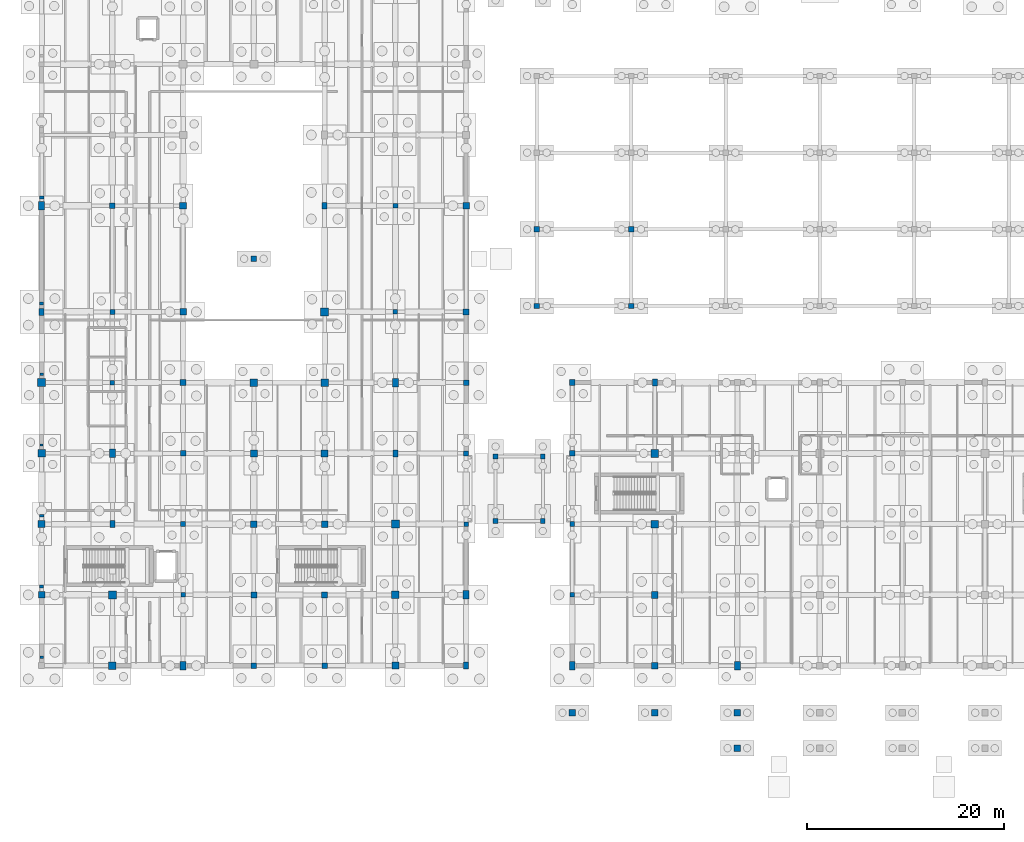
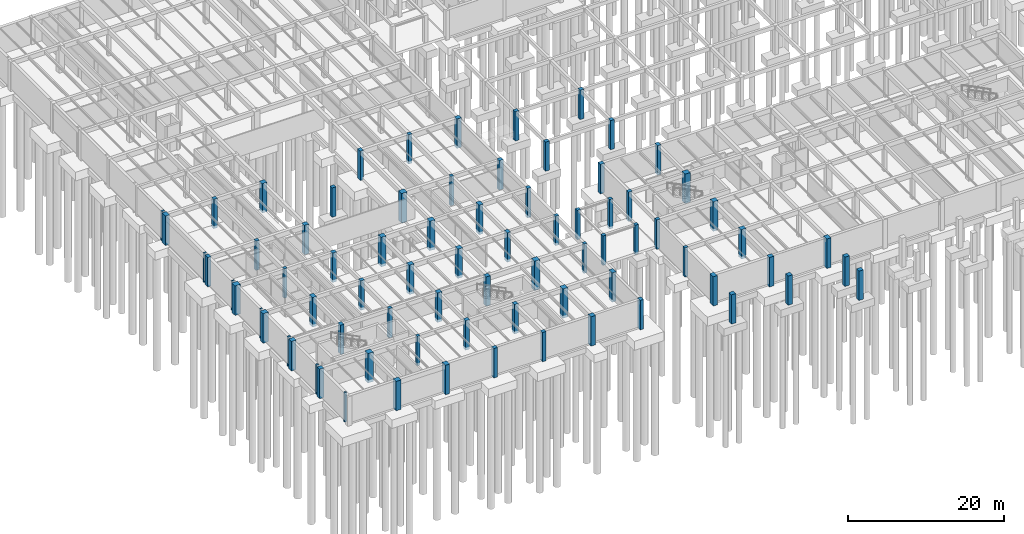
# One storey, part 18 of 63: 77 columns.
"""IFC4 building model written with IfcOpenShell, lengths in metres."""

from ifc_helpers import new_model, si_unit, direction, frame, origin, origin_2d, place, context, subcontext, project, spatial, rectangle, extrude, material, material_profile, profile_set, type_object, element, save


model = new_model("IFC4")

# Units and contexts
model_context = context("Model", 3, precision=1e-05, world=origin(), true_north=direction((0.0, 1.0)))
body_context = subcontext(model_context, "Body", "Model", "MODEL_VIEW")
ifc_project = project(units=[si_unit("LENGTHUNIT", "METRE"), si_unit("AREAUNIT", "SQUARE_METRE"), si_unit("VOLUMEUNIT", "CUBIC_METRE"), si_unit("PLANEANGLEUNIT", "RADIAN"), si_unit("MASSUNIT", "GRAM", prefix="KILO")], contexts=[model_context])

# Site, building, storey
site_placement = place(None, origin())
site = spatial("IfcSite", under=ifc_project, at=site_placement, CompositionType="ELEMENT")
building_placement = place(site_placement, origin())
building = spatial("IfcBuilding", under=site, at=building_placement, Name="Mazaris Harbour Polytechnic", CompositionType="ELEMENT")
storey_placement = place(building_placement, frame((0.0, 0.0, -4.5)))
storey = spatial("IfcBuildingStorey", under=building, at=storey_placement, Name="B1", CompositionType="ELEMENT", Elevation=-4.5)

# Columns
ifc_material_1 = material(Name="Concrete C35/45", Category="concrete")
ifc_material_profile_1 = material_profile(ifc_material_1, rectangle(XDim=0.320068359375, YDim=0.219970703125, at=origin_2d()), Name="RECT320x220")
ifc_profile_set_1 = profile_set([ifc_material_profile_1], Name="Concrete C35/45")
column_type_1 = type_object("IfcColumnType", Name="Limestone Pilaster 320x220", PredefinedType="PILASTER", material=ifc_profile_set_1)
column_placement = place(storey_placement, frame((0.0, 29.64990234375, -0.419921875), z_axis=(0.0, 0.0, 1.0), x_axis=(1.0, 0.0, 0.0)))
element("IfcColumn", 1, at=column_placement, inside=storey, type_object=column_type_1, Name="V4 B1 Giant Order Pilaster 4", PredefinedType="PILASTER", context=body_context, shape_type="SweptSolid", body=[
    extrude(rectangle(XDim=0.320068359375, YDim=0.219970703125, at=origin_2d()), origin(), (0.0, 0.0, 1.0), 4.599853515625),
])
ifc_material_2 = material(Name="Concrete C35/45", Category="concrete")
ifc_material_profile_2 = material_profile(ifc_material_2, rectangle(XDim=0.360107421875, YDim=0.239990234375, at=origin_2d()), Name="RECT360x240")
ifc_profile_set_2 = profile_set([ifc_material_profile_2], Name="Concrete C35/45")
column_type_2 = type_object("IfcColumnType", Name="Limestone Pilaster 360x240", PredefinedType="PILASTER", material=ifc_profile_set_2)
for number, where, z_axis, x_axis, name in (
    (2, (0.0, 8.050048828125, -0.419921875), (0.0, 0.0, 1.0), (1.0, 0.0, 0.0), "V4 B1 Giant Order Pilaster 1"),
    (3, (0.0, 36.85009765625, -0.419921875), (0.0, 0.0, 1.0), (1.0, 0.0, 0.0), "V4 B1 Giant Order Pilaster 5"),
):
    element("IfcColumn", number, at=place(storey_placement, frame(where, z_axis=z_axis, x_axis=x_axis)), inside=storey, type_object=column_type_2, Name=name, PredefinedType="PILASTER", context=body_context, shape_type="SweptSolid", body=[
        extrude(rectangle(XDim=0.360107421875, YDim=0.239990234375, at=origin_2d()), origin(), (0.0, 0.0, 1.0), 4.599853515625),
    ])
ifc_material_3 = material(Name="Concrete C35/45", Category="concrete")
ifc_material_profile_3 = material_profile(ifc_material_3, rectangle(XDim=0.39990234375, YDim=0.260009765625, at=origin_2d()), Name="RECT400x260")
ifc_profile_set_3 = profile_set([ifc_material_profile_3], Name="Concrete C35/45")
column_type_3 = type_object("IfcColumnType", Name="Limestone Pilaster 400x260", PredefinedType="PILASTER", material=ifc_profile_set_3)
for number, where, z_axis, x_axis, name in (
    (4, (0.0, 15.25, -0.419921875), (0.0, 0.0, 1.0), (1.0, 0.0, 0.0), "V4 B1 Giant Order Pilaster 2"),
    (5, (0.0, 44.050048828125, -0.419921875), (0.0, 0.0, 1.0), (1.0, 0.0, 0.0), "V4 B1 Giant Order Pilaster 6"),
):
    element("IfcColumn", number, at=place(storey_placement, frame(where, z_axis=z_axis, x_axis=x_axis)), inside=storey, type_object=column_type_3, Name=name, PredefinedType="PILASTER", context=body_context, shape_type="SweptSolid", body=[
        extrude(rectangle(XDim=0.39990234375, YDim=0.260009765625, at=origin_2d()), origin(), (0.0, 0.0, 1.0), 4.599853515625),
    ])
ifc_material_4 = material(Name="Concrete C35/45", Category="concrete")
ifc_material_profile_4 = material_profile(ifc_material_4, rectangle(XDim=0.43994140625, YDim=0.280029296875, at=origin_2d()), Name="RECT440x280")
ifc_profile_set_4 = profile_set([ifc_material_profile_4], Name="Concrete C35/45")
column_type_4 = type_object("IfcColumnType", Name="Limestone Pilaster 440x280", PredefinedType="PILASTER", material=ifc_profile_set_4)
for number, where, z_axis, x_axis, name in (
    (6, (0.0, 22.449951171875, -0.419921875), (0.0, 0.0, 1.0), (1.0, 0.0, 0.0), "V4 B1 Giant Order Pilaster 3"),
    (7, (0.0, 54.85009765625, -0.419921875), (0.0, 0.0, 1.0), (1.0, 0.0, 0.0), "V4 B1 Giant Order Pilaster 7"),
):
    element("IfcColumn", number, at=place(storey_placement, frame(where, z_axis=z_axis, x_axis=x_axis)), inside=storey, type_object=column_type_4, Name=name, PredefinedType="PILASTER", context=body_context, shape_type="SweptSolid", body=[
        extrude(rectangle(XDim=0.43994140625, YDim=0.280029296875, at=origin_2d()), origin(), (0.0, 0.0, 1.0), 4.599853515625),
    ])
ifc_material_5 = material(Name="Concrete C40/50", Category="concrete")
ifc_material_profile_5 = material_profile(ifc_material_5, rectangle(XDim=0.449951171875, YDim=0.449951171875, at=origin_2d()), Name="RECT450x450")
ifc_profile_set_5 = profile_set([ifc_material_profile_5], Name="Concrete C40/50")
column_type_5 = type_object("IfcColumnType", Name="RC Column 450x450", PredefinedType="COLUMN", material=ifc_profile_set_5)
for number, where, z_axis, x_axis, name in (
    (8, (54.0, 14.39990234375, -0.419921875), (0.0, 0.0, 1.0), (1.0, 0.0, 0.0), "V3 B1 Column 389"),
    (9, (7.199951171875, 36.0, -0.419921875), (0.0, 0.0, 1.0), (1.0, 0.0, 0.0), "V4 B1 Column 569"),
    (10, (14.39990234375, 14.39990234375, -0.419921875), (0.0, 0.0, 1.0), (1.0, 0.0, 0.0), "V4 B1 Column 579"),
    (11, (36.0, 43.199951171875, -0.419921875), (0.0, 0.0, 1.0), (1.0, 0.0, 0.0), "V4 B1 Column 619"),
    (12, (43.199951171875, 21.60009765625, -0.419921875), (0.0, 0.0, 1.0), (1.0, 0.0, 0.0), "V4 B1 Column 629"),
):
    element("IfcColumn", number, at=place(storey_placement, frame(where, z_axis=z_axis, x_axis=x_axis)), inside=storey, type_object=column_type_5, Name=name, PredefinedType="COLUMN", context=body_context, shape_type="SweptSolid", body=[
        extrude(rectangle(XDim=0.449951171875, YDim=0.449951171875, at=origin_2d()), origin(), (0.0, 0.0, 1.0), 4.599853515625),
    ])
ifc_material_6 = material(Name="Concrete C40/50", Category="concrete")
ifc_material_profile_6 = material_profile(ifc_material_6, rectangle(XDim=0.5, YDim=0.5, at=origin_2d()), Name="RECT500x500")
ifc_profile_set_6 = profile_set([ifc_material_profile_6], Name="Concrete C40/50")
column_type_6 = type_object("IfcColumnType", Name="RC Column 500x500", PredefinedType="COLUMN", material=ifc_profile_set_6)
for number, where, z_axis, x_axis, name in (
    (13, (54.0, 21.60009765625, -0.419921875), (0.0, 0.0, 1.0), (1.0, 0.0, 0.0), "V3 B1 Column 390"),
    (14, (7.199951171875, 43.199951171875, -0.419921875), (0.0, 0.0, 1.0), (1.0, 0.0, 0.0), "V4 B1 Column 570"),
    (15, (14.39990234375, 21.60009765625, -0.419921875), (0.0, 0.0, 1.0), (1.0, 0.0, 0.0), "V4 B1 Column 580"),
    (16, (36.0, 54.0, -0.419921875), (0.0, 0.0, 1.0), (1.0, 0.0, 0.0), "V4 B1 Column 620"),
    (17, (43.199951171875, 28.800048828125, -0.419921875), (0.0, 0.0, 1.0), (1.0, 0.0, 0.0), "V4 B1 Column 630"),
):
    element("IfcColumn", number, at=place(storey_placement, frame(where, z_axis=z_axis, x_axis=x_axis)), inside=storey, type_object=column_type_6, Name=name, PredefinedType="COLUMN", context=body_context, shape_type="SweptSolid", body=[
        extrude(rectangle(XDim=0.5, YDim=0.5, at=origin_2d()), origin(), (0.0, 0.0, 1.0), 4.599853515625),
    ])
for number, where, z_axis, x_axis, name in (
    (18, (46.199951171875, 21.89990234375, -0.3798828125), (0.0, 0.0, 1.0), (1.0, 0.0, 0.0), "PB-W1 B1 Bridge Column 1508"),
    (19, (51.0, 21.89990234375, -0.3798828125), (0.0, 0.0, 1.0), (1.0, 0.0, 0.0), "PB-W1 B1 Bridge Column 1509"),
    (20, (46.199951171875, 28.5, -0.3798828125), (0.0, 0.0, 1.0), (1.0, 0.0, 0.0), "PB-W1 B1 Bridge Column 1510"),
    (21, (51.0, 28.5, -0.3798828125), (0.0, 0.0, 1.0), (1.0, 0.0, 0.0), "PB-W1 B1 Bridge Column 1511"),
):
    element("IfcColumn", number, at=place(storey_placement, frame(where, z_axis=z_axis, x_axis=x_axis)), inside=storey, type_object=column_type_6, Name=name, PredefinedType="COLUMN", context=body_context, shape_type="SweptSolid", body=[
        extrude(rectangle(XDim=0.5, YDim=0.5, at=origin_2d()), origin(), (0.0, 0.0, 1.0), 4.614990234375),
    ])
ifc_material_7 = material(Name="Concrete C40/50", Category="concrete")
ifc_material_profile_7 = material_profile(ifc_material_7, rectangle(XDim=0.5, YDim=0.699951171875, at=origin_2d()), Name="RECT500x700")
ifc_profile_set_7 = profile_set([ifc_material_profile_7], Name="Concrete C40/50")
column_type_7 = type_object("IfcColumnType", Name="RC Column 500x700", PredefinedType="COLUMN", material=ifc_profile_set_7)
for number, where, z_axis, x_axis, name in (
    (22, (62.39990234375, 36.0, -0.419921875), (0.0, 0.0, 1.0), (1.0, 0.0, 0.0), "V3 B1 Column 397"),
    (23, (0.0, 43.199951171875, -0.419921875), (0.0, 0.0, 1.0), (1.0, 0.0, 0.0), "V4 B1 Column 557"),
    (24, (7.199951171875, 21.60009765625, -0.419921875), (0.0, 0.0, 1.0), (1.0, 0.0, 0.0), "V4 B1 Column 567"),
    (25, (28.800048828125, 54.0, -0.419921875), (0.0, 0.0, 1.0), (1.0, 0.0, 0.0), "V4 B1 Column 607"),
    (26, (36.0, 28.800048828125, -0.419921875), (0.0, 0.0, 1.0), (1.0, 0.0, 0.0), "V4 B1 Column 617"),
    (27, (43.199951171875, 7.199951171875, -0.419921875), (0.0, 0.0, 1.0), (1.0, 0.0, 0.0), "V4 B1 Column 627"),
):
    element("IfcColumn", number, at=place(storey_placement, frame(where, z_axis=z_axis, x_axis=x_axis)), inside=storey, type_object=column_type_7, Name=name, PredefinedType="COLUMN", context=body_context, shape_type="SweptSolid", body=[
        extrude(rectangle(XDim=0.5, YDim=0.699951171875, at=origin_2d()), origin(), (0.0, 0.0, 1.0), 4.599853515625),
    ])
ifc_material_8 = material(Name="Concrete C40/50", Category="concrete")
ifc_material_profile_8 = material_profile(ifc_material_8, rectangle(XDim=0.550048828125, YDim=0.550048828125, at=origin_2d()), Name="RECT550x550")
ifc_profile_set_8 = profile_set([ifc_material_profile_8], Name="Concrete C40/50")
column_type_8 = type_object("IfcColumnType", Name="RC Column 550x550", PredefinedType="COLUMN", material=ifc_profile_set_8)
for number, where, z_axis, x_axis, name in (
    (28, (54.0, 28.800048828125, -0.419921875), (0.0, 0.0, 1.0), (1.0, 0.0, 0.0), "V3 B1 Column 391"),
    (29, (7.199951171875, 54.0, -0.419921875), (0.0, 0.0, 1.0), (1.0, 0.0, 0.0), "V4 B1 Column 571"),
    (30, (14.39990234375, 28.800048828125, -0.419921875), (0.0, 0.0, 1.0), (1.0, 0.0, 0.0), "V4 B1 Column 581"),
    (31, (21.60009765625, 7.199951171875, -0.419921875), (0.0, 0.0, 1.0), (1.0, 0.0, 0.0), "V4 B1 Column 591"),
    (32, (28.800048828125, 7.199951171875, -0.419921875), (0.0, 0.0, 1.0), (1.0, 0.0, 0.0), "V4 B1 Column 601"),
    (33, (43.199951171875, 36.0, -0.419921875), (0.0, 0.0, 1.0), (1.0, 0.0, 0.0), "V4 B1 Column 631"),
):
    element("IfcColumn", number, at=place(storey_placement, frame(where, z_axis=z_axis, x_axis=x_axis)), inside=storey, type_object=column_type_8, Name=name, PredefinedType="COLUMN", context=body_context, shape_type="SweptSolid", body=[
        extrude(rectangle(XDim=0.550048828125, YDim=0.550048828125, at=origin_2d()), origin(), (0.0, 0.0, 1.0), 4.599853515625),
    ])
for number, where, z_axis, x_axis, name in (
    (34, (50.39990234375, 43.800048828125, -0.3798828125), (0.0, 0.0, 1.0), (1.0, 0.0, 0.0), "Courtyard Deck Support Column 1"),
    (35, (50.39990234375, 51.60009765625, -0.3798828125), (0.0, 0.0, 1.0), (1.0, 0.0, 0.0), "Courtyard Deck Support Column 2"),
    (36, (60.0, 43.800048828125, -0.3798828125), (0.0, 0.0, 1.0), (1.0, 0.0, 0.0), "Courtyard Deck Support Column 5"),
    (37, (60.0, 51.60009765625, -0.3798828125), (0.0, 0.0, 1.0), (1.0, 0.0, 0.0), "Courtyard Deck Support Column 6"),
    (38, (21.60009765625, 48.60009765625, -0.3798828125), (0.0, 0.0, 1.0), (1.0, 0.0, 0.0), "Courtyard Deck Support Column 33"),
):
    element("IfcColumn", number, at=place(storey_placement, frame(where, z_axis=z_axis, x_axis=x_axis)), inside=storey, type_object=column_type_8, Name=name, PredefinedType="COLUMN", context=body_context, shape_type="SweptSolid", body=[
        extrude(rectangle(XDim=0.550048828125, YDim=0.550048828125, at=origin_2d()), origin(), (0.0, 0.0, 1.0), 4.579833984375),
    ])
ifc_material_9 = material(Name="Concrete C40/50", Category="concrete")
ifc_material_profile_9 = material_profile(ifc_material_9, rectangle(XDim=0.60009765625, YDim=0.60009765625, at=origin_2d()), Name="RECT600x600")
ifc_profile_set_9 = profile_set([ifc_material_profile_9], Name="Concrete C40/50")
column_type_9 = type_object("IfcColumnType", Name="RC Column 600x600", PredefinedType="COLUMN", material=ifc_profile_set_9)
for number, where, z_axis, x_axis, name in (
    (39, (54.0, 36.0, -0.419921875), (0.0, 0.0, 1.0), (1.0, 0.0, 0.0), "V3 B1 Column 392"),
    (40, (14.39990234375, 36.0, -0.419921875), (0.0, 0.0, 1.0), (1.0, 0.0, 0.0), "V4 B1 Column 582"),
    (41, (21.60009765625, 14.39990234375, -0.419921875), (0.0, 0.0, 1.0), (1.0, 0.0, 0.0), "V4 B1 Column 592"),
    (42, (28.800048828125, 14.39990234375, -0.419921875), (0.0, 0.0, 1.0), (1.0, 0.0, 0.0), "V4 B1 Column 602"),
    (43, (43.199951171875, 43.199951171875, -0.419921875), (0.0, 0.0, 1.0), (1.0, 0.0, 0.0), "V4 B1 Column 632"),
):
    element("IfcColumn", number, at=place(storey_placement, frame(where, z_axis=z_axis, x_axis=x_axis)), inside=storey, type_object=column_type_9, Name=name, PredefinedType="COLUMN", context=body_context, shape_type="SweptSolid", body=[
        extrude(rectangle(XDim=0.60009765625, YDim=0.60009765625, at=origin_2d()), origin(), (0.0, 0.0, 1.0), 4.599853515625),
    ])
ifc_material_10 = material(Name="Concrete C40/50", Category="concrete")
ifc_material_profile_10 = material_profile(ifc_material_10, rectangle(XDim=0.60009765625, YDim=0.85009765625, at=origin_2d()), Name="RECT600x850")
ifc_profile_set_10 = profile_set([ifc_material_profile_10], Name="Concrete C40/50")
column_type_10 = type_object("IfcColumnType", Name="RC Column 600x850", PredefinedType="COLUMN", material=ifc_profile_set_10)
for number, where, z_axis, x_axis, name in (
    (44, (54.0, 7.199951171875, -0.419921875), (0.0, 0.0, 1.0), (1.0, 0.0, 0.0), "V3 B1 Column 388"),
    (45, (70.800048828125, 7.199951171875, -0.419921875), (0.0, 0.0, 1.0), (1.0, 0.0, 0.0), "V3 B1 Column 398"),
    (46, (0.0, 54.0, -0.419921875), (0.0, 0.0, 1.0), (1.0, 0.0, 0.0), "V4 B1 Column 558"),
    (47, (7.199951171875, 28.800048828125, -0.419921875), (0.0, 0.0, 1.0), (1.0, 0.0, 0.0), "V4 B1 Column 568"),
    (48, (14.39990234375, 7.199951171875, -0.419921875), (0.0, 0.0, 1.0), (1.0, 0.0, 0.0), "V4 B1 Column 578"),
    (49, (36.0, 36.0, -0.419921875), (0.0, 0.0, 1.0), (1.0, 0.0, 0.0), "V4 B1 Column 618"),
    (50, (43.199951171875, 14.39990234375, -0.419921875), (0.0, 0.0, 1.0), (1.0, 0.0, 0.0), "V4 B1 Column 628"),
):
    element("IfcColumn", number, at=place(storey_placement, frame(where, z_axis=z_axis, x_axis=x_axis)), inside=storey, type_object=column_type_10, Name=name, PredefinedType="COLUMN", context=body_context, shape_type="SweptSolid", body=[
        extrude(rectangle(XDim=0.60009765625, YDim=0.85009765625, at=origin_2d()), origin(), (0.0, 0.0, 1.0), 4.599853515625),
    ])
ifc_material_11 = material(Name="Concrete C40/50", Category="concrete")
ifc_material_profile_11 = material_profile(ifc_material_11, rectangle(XDim=0.64990234375, YDim=0.64990234375, at=origin_2d()), Name="RECT650x650")
ifc_profile_set_11 = profile_set([ifc_material_profile_11], Name="Concrete C40/50")
column_type_11 = type_object("IfcColumnType", Name="RC Column 650x650", PredefinedType="COLUMN", material=ifc_profile_set_11)
for number, where, z_axis, x_axis, name in (
    (51, (62.39990234375, 7.199951171875, -0.419921875), (0.0, 0.0, 1.0), (1.0, 0.0, 0.0), "V3 B1 Column 393"),
    (52, (0.0, 14.39990234375, -0.419921875), (0.0, 0.0, 1.0), (1.0, 0.0, 0.0), "V4 B1 Column 553"),
    (53, (14.39990234375, 43.199951171875, -0.419921875), (0.0, 0.0, 1.0), (1.0, 0.0, 0.0), "V4 B1 Column 583"),
    (54, (21.60009765625, 21.60009765625, -0.419921875), (0.0, 0.0, 1.0), (1.0, 0.0, 0.0), "V4 B1 Column 593"),
    (55, (28.800048828125, 21.60009765625, -0.419921875), (0.0, 0.0, 1.0), (1.0, 0.0, 0.0), "V4 B1 Column 603"),
    (56, (43.199951171875, 54.0, -0.419921875), (0.0, 0.0, 1.0), (1.0, 0.0, 0.0), "V4 B1 Column 633"),
):
    element("IfcColumn", number, at=place(storey_placement, frame(where, z_axis=z_axis, x_axis=x_axis)), inside=storey, type_object=column_type_11, Name=name, PredefinedType="COLUMN", context=body_context, shape_type="SweptSolid", body=[
        extrude(rectangle(XDim=0.64990234375, YDim=0.64990234375, at=origin_2d()), origin(), (0.0, 0.0, 1.0), 4.599853515625),
    ])
for number, where, z_axis, x_axis, name in (
    (57, (54.0, 2.39990234375, -0.3798828125), (0.0, 0.0, 1.0), (1.0, 0.0, 0.0), "Colonnade Foundation Column B1-1"),
    (58, (62.39990234375, 2.39990234375, -0.3798828125), (0.0, 0.0, 1.0), (1.0, 0.0, 0.0), "Colonnade Foundation Column B1-2"),
    (59, (70.800048828125, 2.39990234375, -0.3798828125), (0.0, 0.0, 1.0), (1.0, 0.0, 0.0), "Colonnade Foundation Column B1-3"),
    (60, (70.800048828125, -1.199951171875, -0.3798828125), (0.0, 0.0, 1.0), (1.0, 0.0, 0.0), "Portico Foundation Column B1-1"),
):
    element("IfcColumn", number, at=place(storey_placement, frame(where, z_axis=z_axis, x_axis=x_axis)), inside=storey, type_object=column_type_11, Name=name, PredefinedType="COLUMN", context=body_context, shape_type="SweptSolid", body=[
        extrude(rectangle(XDim=0.64990234375, YDim=0.64990234375, at=origin_2d()), origin(), (0.0, 0.0, 1.0), 4.579833984375),
    ])
ifc_material_12 = material(Name="Concrete C40/50", Category="concrete")
ifc_material_profile_12 = material_profile(ifc_material_12, rectangle(XDim=0.699951171875, YDim=0.699951171875, at=origin_2d()), Name="RECT700x700")
ifc_profile_set_12 = profile_set([ifc_material_profile_12], Name="Concrete C40/50")
column_type_12 = type_object("IfcColumnType", Name="RC Column 700x700", PredefinedType="COLUMN", material=ifc_profile_set_12)
for number, where, z_axis, x_axis, name in (
    (61, (62.39990234375, 14.39990234375, -0.419921875), (0.0, 0.0, 1.0), (1.0, 0.0, 0.0), "V3 B1 Column 394"),
    (62, (0.0, 21.60009765625, -0.419921875), (0.0, 0.0, 1.0), (1.0, 0.0, 0.0), "V4 B1 Column 554"),
    (63, (14.39990234375, 54.0, -0.419921875), (0.0, 0.0, 1.0), (1.0, 0.0, 0.0), "V4 B1 Column 584"),
    (64, (21.60009765625, 28.800048828125, -0.419921875), (0.0, 0.0, 1.0), (1.0, 0.0, 0.0), "V4 B1 Column 594"),
    (65, (28.800048828125, 28.800048828125, -0.419921875), (0.0, 0.0, 1.0), (1.0, 0.0, 0.0), "V4 B1 Column 604"),
    (66, (36.0, 7.199951171875, -0.419921875), (0.0, 0.0, 1.0), (1.0, 0.0, 0.0), "V4 B1 Column 614"),
):
    element("IfcColumn", number, at=place(storey_placement, frame(where, z_axis=z_axis, x_axis=x_axis)), inside=storey, type_object=column_type_12, Name=name, PredefinedType="COLUMN", context=body_context, shape_type="SweptSolid", body=[
        extrude(rectangle(XDim=0.699951171875, YDim=0.699951171875, at=origin_2d()), origin(), (0.0, 0.0, 1.0), 4.599853515625),
    ])
ifc_material_13 = material(Name="Concrete C40/50", Category="concrete")
ifc_material_profile_13 = material_profile(ifc_material_13, rectangle(XDim=0.75, YDim=0.75, at=origin_2d()), Name="RECT750x750")
ifc_profile_set_13 = profile_set([ifc_material_profile_13], Name="Concrete C40/50")
column_type_13 = type_object("IfcColumnType", Name="RC Column 750x750", PredefinedType="COLUMN", material=ifc_profile_set_13)
for number, where, z_axis, x_axis, name in (
    (67, (62.39990234375, 21.60009765625, -0.419921875), (0.0, 0.0, 1.0), (1.0, 0.0, 0.0), "V3 B1 Column 395"),
    (68, (0.0, 28.800048828125, -0.419921875), (0.0, 0.0, 1.0), (1.0, 0.0, 0.0), "V4 B1 Column 555"),
    (69, (7.199951171875, 7.199951171875, -0.419921875), (0.0, 0.0, 1.0), (1.0, 0.0, 0.0), "V4 B1 Column 565"),
    (70, (21.60009765625, 36.0, -0.419921875), (0.0, 0.0, 1.0), (1.0, 0.0, 0.0), "V4 B1 Column 595"),
    (71, (28.800048828125, 36.0, -0.419921875), (0.0, 0.0, 1.0), (1.0, 0.0, 0.0), "V4 B1 Column 605"),
    (72, (36.0, 14.39990234375, -0.419921875), (0.0, 0.0, 1.0), (1.0, 0.0, 0.0), "V4 B1 Column 615"),
):
    element("IfcColumn", number, at=place(storey_placement, frame(where, z_axis=z_axis, x_axis=x_axis)), inside=storey, type_object=column_type_13, Name=name, PredefinedType="COLUMN", context=body_context, shape_type="SweptSolid", body=[
        extrude(rectangle(XDim=0.75, YDim=0.75, at=origin_2d()), origin(), (0.0, 0.0, 1.0), 4.599853515625),
    ])
ifc_material_14 = material(Name="Concrete C40/50", Category="concrete")
ifc_material_profile_14 = material_profile(ifc_material_14, rectangle(XDim=0.800048828125, YDim=0.800048828125, at=origin_2d()), Name="RECT800x800")
ifc_profile_set_14 = profile_set([ifc_material_profile_14], Name="Concrete C40/50")
column_type_14 = type_object("IfcColumnType", Name="RC Column 800x800", PredefinedType="COLUMN", material=ifc_profile_set_14)
for number, where, z_axis, x_axis, name in (
    (73, (62.39990234375, 28.800048828125, -0.419921875), (0.0, 0.0, 1.0), (1.0, 0.0, 0.0), "V3 B1 Column 396"),
    (74, (0.0, 36.0, -0.419921875), (0.0, 0.0, 1.0), (1.0, 0.0, 0.0), "V4 B1 Column 556"),
    (75, (7.199951171875, 14.39990234375, -0.419921875), (0.0, 0.0, 1.0), (1.0, 0.0, 0.0), "V4 B1 Column 566"),
    (76, (28.800048828125, 43.199951171875, -0.419921875), (0.0, 0.0, 1.0), (1.0, 0.0, 0.0), "V4 B1 Column 606"),
    (77, (36.0, 21.60009765625, -0.419921875), (0.0, 0.0, 1.0), (1.0, 0.0, 0.0), "V4 B1 Column 616"),
):
    element("IfcColumn", number, at=place(storey_placement, frame(where, z_axis=z_axis, x_axis=x_axis)), inside=storey, type_object=column_type_14, Name=name, PredefinedType="COLUMN", context=body_context, shape_type="SweptSolid", body=[
        extrude(rectangle(XDim=0.800048828125, YDim=0.800048828125, at=origin_2d()), origin(), (0.0, 0.0, 1.0), 4.599853515625),
    ])

save(model, "model.ifc")
